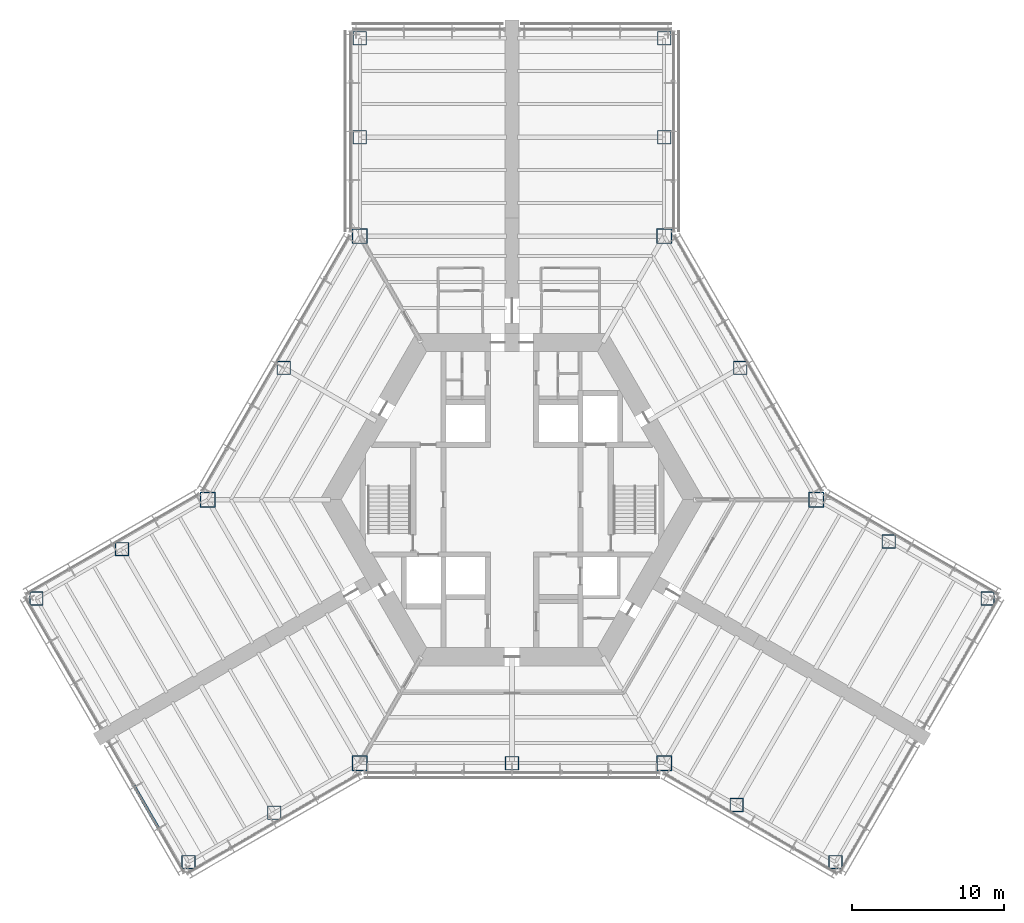
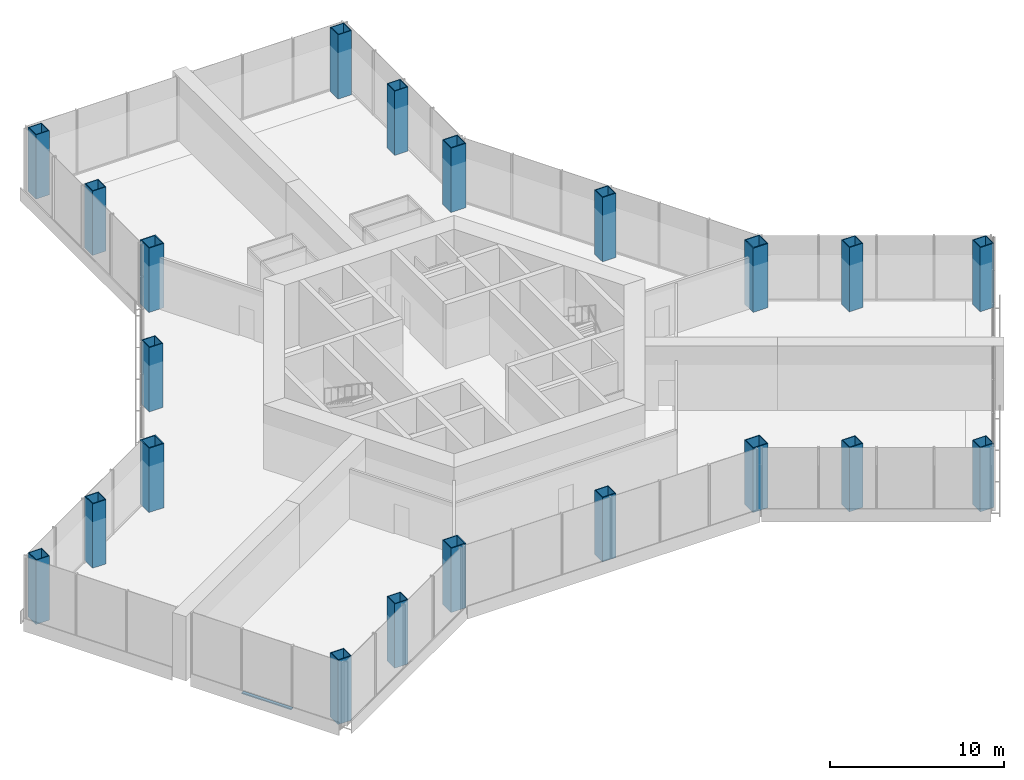
# One storey, part 1 of 13: 21 columns, 1 member, 1 element without a shape of its own.
"""IFC4 building model written with IfcOpenShell, lengths in metres."""

from ifc_helpers import new_model, si_unit, direction, frame, origin, origin_2d, place, context, subcontext, project, spatial, rectangle, hollow_rectangle, extrude, material, material_profile, profile_set, type_object, element, aggregate, save


model = new_model("IFC4")

# Units and contexts
model_context = context("Model", 3, precision=1e-05, world=origin(), true_north=direction((0.0, 1.0)))
body_context = subcontext(model_context, "Body", "Model", "MODEL_VIEW")
ifc_project = project(units=[si_unit("LENGTHUNIT", "METRE"), si_unit("AREAUNIT", "SQUARE_METRE"), si_unit("VOLUMEUNIT", "CUBIC_METRE"), si_unit("PLANEANGLEUNIT", "RADIAN"), si_unit("MASSUNIT", "GRAM", prefix="KILO")], contexts=[model_context])

# Site, building, storey
site_placement = place(None, origin())
site = spatial("IfcSite", under=ifc_project, at=site_placement, CompositionType="ELEMENT")
building_placement = place(site_placement, origin())
building = spatial("IfcBuilding", under=site, at=building_placement, Name="Kasaneha Research Tower", CompositionType="ELEMENT")
storey_placement = place(building_placement, frame((0.0, 0.0, 5.5)))
storey = spatial("IfcBuildingStorey", under=building, at=storey_placement, Name="L02", CompositionType="ELEMENT", Elevation=5.5)

# Columns
ifc_material_1 = material(Name="Steel SN490C", Category="steel")
ifc_material_profile_1 = material_profile(ifc_material_1, hollow_rectangle(XDim=1.0, YDim=1.0, WallThickness=0.06005859375, at=origin_2d()), Name="BOX-1000x1000x60")
ifc_profile_set_1 = profile_set([ifc_material_profile_1], Name="Steel SN490C")
column_type_1 = type_object("IfcColumnType", Name="C1A column BOX-1000x1000x60", PredefinedType="COLUMN", material=ifc_profile_set_1)
for number, where, z_axis, x_axis, name in (
    (1, (20.0, 0.0, 0.0), (0.0, 0.0, 1.0), (1.0, 0.0, 0.0), "Column V0 L02"),
    (2, (10.0, 17.320556640625, 0.0), (0.0, 0.0, 1.0), (1.0, 0.0, 0.0), "Column V1 L02"),
    (3, (-10.0, 17.320556640625, 0.0), (0.0, 0.0, 1.0), (1.0, 0.0, 0.0), "Column V2 L02"),
    (4, (-20.0, 0.0, 0.0), (0.0, 0.0, 1.0), (1.0, 0.0, 0.0), "Column V3 L02"),
    (5, (-10.0, -17.320556640625, 0.0), (0.0, 0.0, 1.0), (1.0, 0.0, 0.0), "Column V4 L02"),
    (6, (10.0, -17.320556640625, 0.0), (0.0, 0.0, 1.0), (1.0, 0.0, 0.0), "Column V5 L02"),
):
    element("IfcColumn", number, at=place(storey_placement, frame(where, z_axis=z_axis, x_axis=x_axis)), inside=storey, type_object=column_type_1, Name=name, PredefinedType="COLUMN", context=body_context, shape_type="SweptSolid", body=[
        extrude(hollow_rectangle(XDim=1.0, YDim=1.0, WallThickness=0.06005859375, at=origin_2d()), origin(), (0.0, 0.0, 1.0), 4.5),
    ])
ifc_material_2 = material(Name="Steel SN490C", Category="steel")
ifc_material_profile_2 = material_profile(ifc_material_2, hollow_rectangle(XDim=0.89990234375, YDim=0.89990234375, WallThickness=0.050048828125, at=origin_2d()), Name="BOX-900x900x50")
ifc_profile_set_2 = profile_set([ifc_material_profile_2], Name="Steel SN490C")
column_type_2 = type_object("IfcColumnType", Name="C1B column BOX-900x900x50", PredefinedType="COLUMN", material=ifc_profile_set_2)
for number, where, z_axis, x_axis, name in (
    (7, (15.0, 8.66015625, 0.0), (0.0, 0.0, 1.0), (1.0, 0.0, 0.0), "Column M030 L02"),
    (8, (-15.0, 8.66015625, 0.0), (0.0, 0.0, 1.0), (1.0, 0.0, 0.0), "Column M150 L02"),
    (9, (0.0, -17.320556640625, 0.0), (0.0, 0.0, 1.0), (1.0, 0.0, 0.0), "Column M270 L02"),
    (10, (10.0, 23.820556640625, 0.0), (0.0, 0.0, 1.0), (1.0, 0.0, 0.0), "Column ASP L02"),
    (11, (10.0, 30.320556640625, 0.0), (0.0, 0.0, 1.0), (1.0, 0.0, 0.0), "Column ATP L02"),
    (12, (-10.0, 23.820556640625, 0.0), (0.0, 0.0, 1.0), (1.0, 0.0, 0.0), "Column ASN L02"),
    (13, (-10.0, 30.320556640625, 0.0), (0.0, 0.0, 1.0), (1.0, 0.0, 0.0), "Column ATN L02"),
    (14, (-25.629150390625, -3.25, 0.0), (0.0, 0.0, 1.0), (1.0, 0.0, 0.0), "Column BSP L02"),
    (15, (-31.25830078125, -6.5, 0.0), (0.0, 0.0, 1.0), (1.0, 0.0, 0.0), "Column BTP L02"),
    (16, (-15.629150390625, -20.570556640625, 0.0), (0.0, 0.0, 1.0), (1.0, 0.0, 0.0), "Column BSN L02"),
    (17, (-21.25830078125, -23.820556640625, 0.0), (0.0, 0.0, 1.0), (1.0, 0.0, 0.0), "Column BTN L02"),
    (18, (14.76318359375, -20.070556640625, 0.0), (0.0, 0.0, 1.0), (1.0, 0.0, 0.0), "Column CSP L02"),
    (19, (21.25830078125, -23.820556640625, 0.0), (0.0, 0.0, 1.0), (1.0, 0.0, 0.0), "Column CTP L02"),
    (20, (24.76318359375, -2.75, 0.0), (0.0, 0.0, 1.0), (1.0, 0.0, 0.0), "Column CSN L02"),
    (21, (31.25830078125, -6.5, 0.0), (0.0, 0.0, 1.0), (1.0, 0.0, 0.0), "Column CTN L02"),
):
    element("IfcColumn", number, at=place(storey_placement, frame(where, z_axis=z_axis, x_axis=x_axis)), inside=storey, type_object=column_type_2, Name=name, PredefinedType="COLUMN", context=body_context, shape_type="SweptSolid", body=[
        extrude(hollow_rectangle(XDim=0.89990234375, YDim=0.89990234375, WallThickness=0.050048828125, at=origin_2d()), origin(), (0.0, 0.0, 1.0), 4.5),
    ])

# Curtain wall, member
ifc_material_3 = material(Name="Glass and aluminium", Category="aluminium")
curtain_wall_type = type_object("IfcCurtainWallType", Name="Entrance hall curtain wall", PredefinedType="USERDEFINED", material=ifc_material_3)
curtain_wall_placement = place(storey_placement, origin())
curtain_wall = element("IfcCurtainWall", 22, at=curtain_wall_placement, inside=storey, type_object=curtain_wall_type, Name="CW-H L02 run 15a", ObjectType="UNITISED CURTAIN WALL", PredefinedType="USERDEFINED")
ifc_material_4 = material(Name="Aluminium 6063-T6", Category="aluminium")
ifc_material_profile_3 = material_profile(ifc_material_4, rectangle(XDim=0.199951171875, YDim=0.080078125, at=origin_2d()), Name="CW-H transom 200x80")
ifc_profile_set_3 = profile_set([ifc_material_profile_3], Name="Aluminium 6063-T6")
member_type = type_object("IfcMemberType", Name="CW-H transom", PredefinedType="USERDEFINED", material=ifc_profile_set_3)
member_placement = place(storey_placement, frame((-24.85791015625, -18.785888671875, 0.0400390625), z_axis=(0.500017595764, -0.866015244627, 0.0), x_axis=(0.866015244627, 0.500017595764, 0.0)))
member = element("IfcMember", 23, at=member_placement, type_object=member_type, Name="CW-H transom 2", ObjectType="TRANSOM", PredefinedType="USERDEFINED", context=body_context, shape_type="SweptSolid", body=[
    extrude(rectangle(XDim=0.199951171875, YDim=0.080078125, at=origin_2d()), origin(), (0.0, 0.0, 1.0), 3.27001953125),
])
aggregate(curtain_wall, [member])

save(model, "model.ifc")
